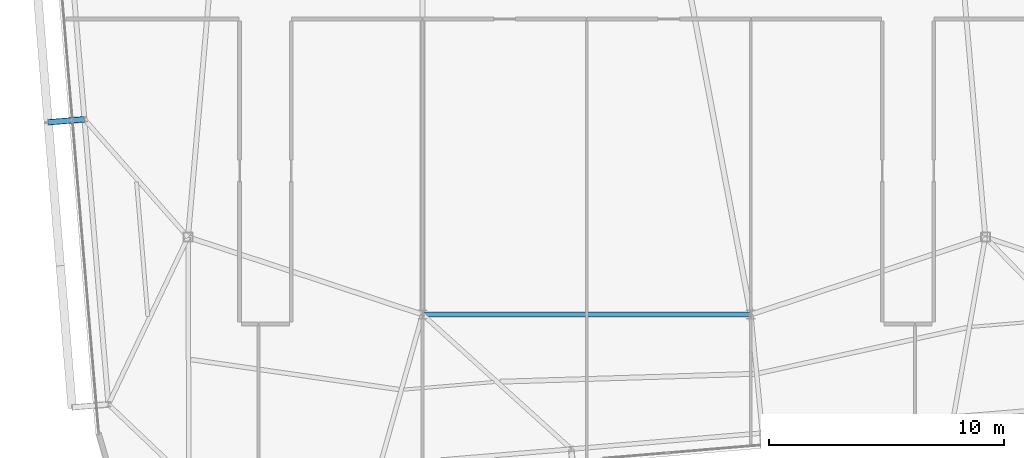
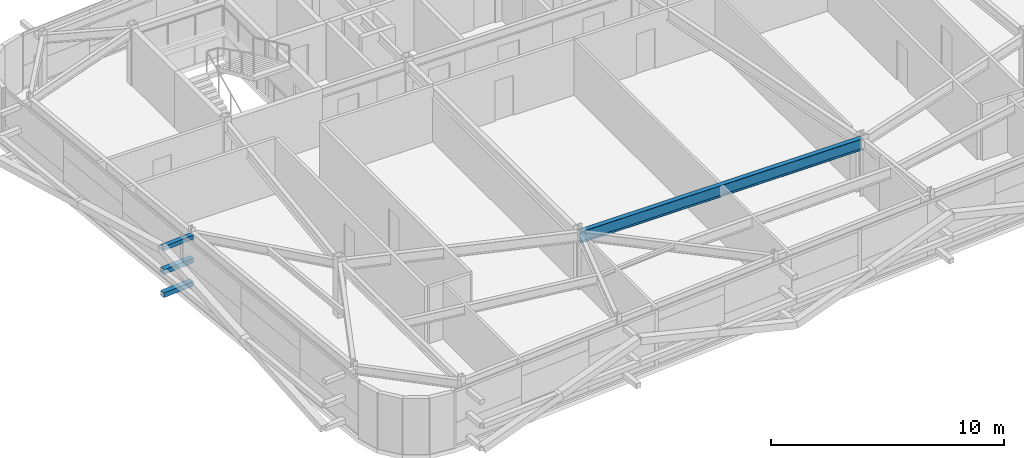
# One storey, part 11 of 39: 3 members, 1 beam.
"""IFC4 building model written with IfcOpenShell, lengths in metres."""

from ifc_helpers import new_model, si_unit, direction, frame, origin, origin_2d, place, context, subcontext, project, spatial, hollow_rectangle, i_section, extrude, source, transform, mapped, material, material_profile, profile_set, type_object, element, save


model = new_model("IFC4")

# Units and contexts
model_context = context("Model", 3, precision=1e-05, world=origin(), true_north=direction((0.0, 1.0)))
body_context = subcontext(model_context, "Body", "Model", "MODEL_VIEW")
ifc_project = project(units=[si_unit("LENGTHUNIT", "METRE"), si_unit("AREAUNIT", "SQUARE_METRE"), si_unit("VOLUMEUNIT", "CUBIC_METRE"), si_unit("PLANEANGLEUNIT", "RADIAN"), si_unit("MASSUNIT", "GRAM", prefix="KILO")], contexts=[model_context])

# Site, building, storey
site_placement = place(None, origin())
site = spatial("IfcSite", under=ifc_project, at=site_placement, CompositionType="ELEMENT")
building_placement = place(site_placement, origin())
building = spatial("IfcBuilding", under=site, at=building_placement, Name="Taldren Reach Tower", CompositionType="ELEMENT")
storey_placement = place(building_placement, frame((0.0, 0.0, 178.85009765625)))
storey = spatial("IfcBuildingStorey", under=building, at=storey_placement, Name="L54", CompositionType="ELEMENT", Elevation=178.85009765625)

# Beam
ifc_material_1 = material(Name="Steel Gr 350 (350PLUS)", Category="steel")
ifc_material_profile_1 = material_profile(ifc_material_1, i_section(OverallWidth=0.22802734375, OverallDepth=0.60205078125, WebThickness=0.010498046875, FlangeThickness=0.014892578125, at=origin_2d()), Name="610UB101")
ifc_profile_set_1 = profile_set([ifc_material_profile_1], Name="Steel Gr 350 (350PLUS)")
beam_type = type_object("IfcBeamType", Name="BM-UB610B", PredefinedType="BEAM", material=ifc_profile_set_1)
shared_shape_1 = source(origin(), body_context, "Body", "SweptSolid", [
    extrude(i_section(OverallWidth=0.22802734375, OverallDepth=0.60205078125, WebThickness=0.010498046875, FlangeThickness=0.014892578125, at=origin_2d()), origin(), (0.0, 0.0, 1.0), 14.0),
])
beam_placement = place(storey_placement, frame((28.0, 9.199951171875, 2.62890625), z_axis=(1.0, 0.0, 0.0), x_axis=(0.0, 1.0, 0.0)))
element("IfcBeam", 1, at=beam_placement, inside=storey, type_object=beam_type, Name="Core-spine girder L54-SP11", PredefinedType="BEAM", context=body_context, shape_type="MappedRepresentation", body=[
    mapped(shared_shape_1, transform((0.0, 0.0, 0.0), scale=1.0)),
])

# Members
ifc_material_2 = material(Name="Steel Gr 450 (C450L0)", Category="steel")
ifc_material_profile_2 = material_profile(ifc_material_2, hollow_rectangle(XDim=0.219970703125, YDim=0.219970703125, WallThickness=0.00830078125, at=origin_2d()), Name="220x220x8.2SHS")
ifc_profile_set_2 = profile_set([ifc_material_profile_2], Name="Steel Gr 450 (C450L0)")
member_type_1 = type_object("IfcMemberType", Name="MB-TIE219", PredefinedType="STRUT", material=ifc_profile_set_2)
shared_shape_2 = source(origin(), body_context, "Body", "SweptSolid", [
    extrude(hollow_rectangle(XDim=0.219970703125, YDim=0.219970703125, WallThickness=0.00830078125, at=origin_2d()), origin(), (0.0, 0.0, 1.0), 1.54541015625),
])
member_placement = place(storey_placement, frame((13.578125, 17.52490234375, 2.64990234375), z_axis=(-0.99648887425, -0.083725285883, 0.0), x_axis=(0.083725285883, -0.99648887425, 0.0)))
element("IfcMember", 2, at=member_placement, inside=storey, type_object=member_type_1, Name="Exoskeleton diaphragm tie strut B4-W2 L54", PredefinedType="STRUT", context=body_context, shape_type="MappedRepresentation", body=[
    mapped(shared_shape_2, transform((0.0, 0.0, 0.0), scale=1.0)),
])
ifc_material_3 = material(Name="Steel Gr 350 (C350L0)", Category="steel")
ifc_material_profile_3 = material_profile(ifc_material_3, hollow_rectangle(XDim=0.25, YDim=0.25, WallThickness=0.010009765625, at=origin_2d()), Name="250x250x10.0SHS")
ifc_profile_set_3 = profile_set([ifc_material_profile_3], Name="Steel Gr 350 (C350L0)")
member_type_2 = type_object("IfcMemberType", Name="MB-POST250", PredefinedType="POST", material=ifc_profile_set_3)
shared_shape_3 = source(origin(), body_context, "Body", "SweptSolid", [
    extrude(hollow_rectangle(XDim=0.25, YDim=0.25, WallThickness=0.010009765625, at=origin_2d()), origin(), (0.0, 0.0, 1.0), 1.54541015625),
])
for number, where, z_axis, x_axis, name in (
    (3, (13.578125, 17.52490234375, 0.219970703125), (-0.99648887425, -0.083725285883, 0.0), (0.083725285883, -0.99648887425, 0.0), "Exoskeleton base diaphragm tie strut B4-W2 L54"),
    (4, (13.578125, 17.52490234375, 1.434814453125), (-0.99648887425, -0.083725285883, 0.0), (0.083725285883, -0.99648887425, 0.0), "Exoskeleton mid-tier diaphragm tie B4-W2 L54"),
):
    element("IfcMember", number, at=place(storey_placement, frame(where, z_axis=z_axis, x_axis=x_axis)), inside=storey, type_object=member_type_2, Name=name, PredefinedType="POST", context=body_context, shape_type="MappedRepresentation", body=[
        mapped(shared_shape_3, transform((0.0, 0.0, 0.0), scale=1.0)),
    ])

save(model, "model.ifc")
